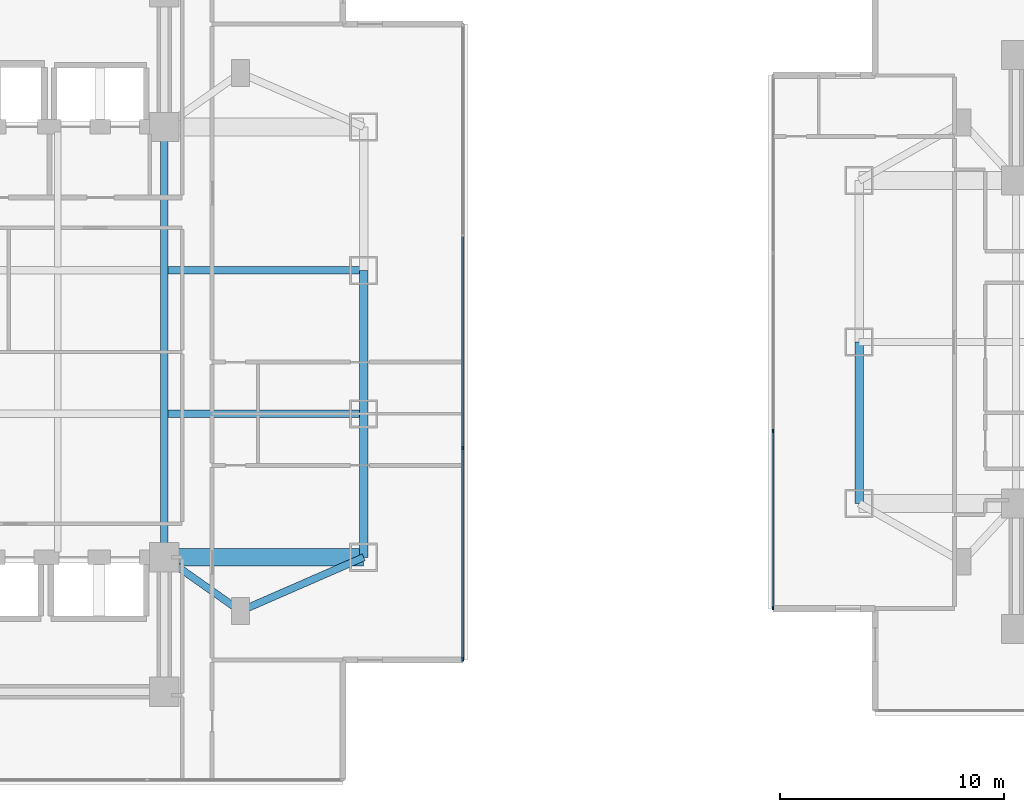
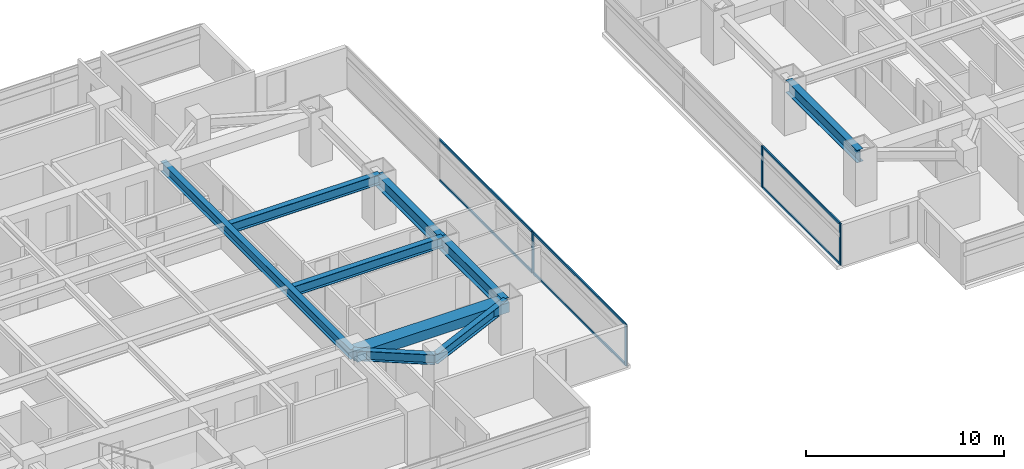
# One storey, part 5 of 26: 10 members, 9 beams, 2 elements without a shape of their own.
"""IFC4 building model written with IfcOpenShell, lengths in metres."""

from ifc_helpers import new_model, si_unit, direction, frame, origin, origin_2d, place, context, subcontext, project, spatial, rectangle, i_section, extrude, material, material_profile, profile_set, type_object, element, aggregate, save


model = new_model("IFC4")

# Units and contexts
model_context = context("Model", 3, precision=1e-05, world=origin(), true_north=direction((0.0, 1.0)))
body_context = subcontext(model_context, "Body", "Model", "MODEL_VIEW")
ifc_project = project(units=[si_unit("LENGTHUNIT", "METRE"), si_unit("AREAUNIT", "SQUARE_METRE"), si_unit("VOLUMEUNIT", "CUBIC_METRE"), si_unit("PLANEANGLEUNIT", "RADIAN"), si_unit("MASSUNIT", "GRAM", prefix="KILO")], contexts=[model_context])

# Site, building, storey
site_placement = place(None, origin())
site = spatial("IfcSite", under=ifc_project, at=site_placement, CompositionType="ELEMENT")
building_placement = place(site_placement, origin())
building = spatial("IfcBuilding", under=site, at=building_placement, Name="Mirazonda Arch Towers", CompositionType="ELEMENT")
storey_placement = place(building_placement, frame((0.0, 0.0, 78.5)))
storey = spatial("IfcBuildingStorey", under=building, at=storey_placement, Name="L22", CompositionType="ELEMENT", Elevation=78.5)

# Beams
ifc_material_1 = material(Name="Steel ASTM A992 Grade 50", Category="steel")
ifc_material_profile_1 = material_profile(ifc_material_1, i_section(OverallWidth=0.381103515625, OverallDepth=0.77294921875, WebThickness=0.0166015625, FlangeThickness=0.027099609375, at=origin_2d()), Name="W30X173")
ifc_profile_set_1 = profile_set([ifc_material_profile_1], Name="Steel ASTM A992 Grade 50")
beam_type_1 = type_object("IfcBeamType", Name="BM-EXT-W30X173", PredefinedType="USERDEFINED", material=ifc_profile_set_1)
beam_1_placement = place(storey_placement, frame((38.89990234375, 18.39990234375, 2.553466796875), z_axis=(0.0, 1.0, 0.0), x_axis=(-1.0, 0.0, 0.0)))
element("IfcBeam", 1, at=beam_1_placement, inside=storey, type_object=beam_type_1, Name="L22 Floor Beam BMT-T1-L22-NS-E-18", ObjectType="GIRDER", PredefinedType="USERDEFINED", context=body_context, shape_type="SweptSolid", body=[
    extrude(i_section(OverallWidth=0.381103515625, OverallDepth=0.77294921875, WebThickness=0.0166015625, FlangeThickness=0.027099609375, at=origin_2d()), origin(), (0.0, 0.0, 1.0), 6.400146484375),
])
beam_2_placement = place(storey_placement, frame((38.89990234375, 24.800048828125, 2.553466796875), z_axis=(0.0, 1.0, 0.0), x_axis=(-1.0, 0.0, 0.0)))
element("IfcBeam", 2, at=beam_2_placement, inside=storey, type_object=beam_type_1, Name="L22 Floor Beam BMT-T1-L22-NS-E-24", ObjectType="GIRDER", PredefinedType="USERDEFINED", context=body_context, shape_type="SweptSolid", body=[
    extrude(i_section(OverallWidth=0.381103515625, OverallDepth=0.77294921875, WebThickness=0.0166015625, FlangeThickness=0.027099609375, at=origin_2d()), origin(), (0.0, 0.0, 1.0), 6.39990234375),
])
beam_3_placement = place(storey_placement, frame((61.0, 20.800048828125, 2.553466796875), z_axis=(0.0, 1.0, 0.0), x_axis=(-1.0, 0.0, 0.0)))
element("IfcBeam", 3, at=beam_3_placement, inside=storey, type_object=beam_type_1, Name="L22 Floor Beam BMT-T2-L22-NS-W-20", ObjectType="GIRDER", PredefinedType="USERDEFINED", context=body_context, shape_type="SweptSolid", body=[
    extrude(i_section(OverallWidth=0.381103515625, OverallDepth=0.77294921875, WebThickness=0.0166015625, FlangeThickness=0.027099609375, at=origin_2d()), origin(), (0.0, 0.0, 1.0), 7.199951171875),
])
ifc_material_profile_2 = material_profile(ifc_material_1, i_section(OverallWidth=0.324951171875, OverallDepth=0.615966796875, WebThickness=0.013916015625, FlangeThickness=0.021484375, at=origin_2d()), Name="W24X117")
ifc_profile_set_2 = profile_set([ifc_material_profile_2], Name="Steel ASTM A992 Grade 50")
beam_type_2 = type_object("IfcBeamType", Name="BM-INT-W24X117", PredefinedType="BEAM", material=ifc_profile_set_2)
for number, where, z_axis, x_axis, name in (
    (4, (30.16259765625, 24.800048828125, 2.632080078125), (1.0, 0.0, 0.0), (0.0, 1.0, 0.0), "L22 Floor Beam BMT-T1-L22-GE2"),
    (5, (30.16259765625, 31.199951171875, 2.632080078125), (1.0, 0.0, 0.0), (0.0, 1.0, 0.0), "L22 Floor Beam BMT-T1-L22-GE3"),
):
    element("IfcBeam", number, at=place(storey_placement, frame(where, z_axis=z_axis, x_axis=x_axis)), inside=storey, type_object=beam_type_2, Name=name, PredefinedType="BEAM", context=body_context, shape_type="SweptSolid", body=[
        extrude(i_section(OverallWidth=0.324951171875, OverallDepth=0.615966796875, WebThickness=0.013916015625, FlangeThickness=0.021484375, at=origin_2d()), origin(), (0.0, 0.0, 1.0), 8.7373046875),
    ])
beam_4_placement = place(storey_placement, frame((30.0, 18.39990234375, 2.632080078125), z_axis=(0.0, 1.0, 0.0), x_axis=(-1.0, 0.0, 0.0)))
element("IfcBeam", 6, at=beam_4_placement, inside=storey, type_object=beam_type_2, Name="L22 Floor Beam BMT-T1-L22-NS-CE-FULL", PredefinedType="BEAM", context=body_context, shape_type="SweptSolid", body=[
    extrude(i_section(OverallWidth=0.324951171875, OverallDepth=0.615966796875, WebThickness=0.013916015625, FlangeThickness=0.021484375, at=origin_2d()), origin(), (0.0, 0.0, 1.0), 19.2001953125),
])
beam_5_placement = place(storey_placement, frame((33.39990234375, 16.0, 2.632080078125), z_axis=(-0.816971114901, 0.576678591087, 0.0), x_axis=(-0.576678591087, -0.816971114901, 0.0)))
element("IfcBeam", 7, at=beam_5_placement, inside=storey, type_object=beam_type_2, Name="L22 Floor Beam BMT-T1-L22-PL-SE1", PredefinedType="BEAM", context=body_context, shape_type="SweptSolid", body=[
    extrude(i_section(OverallWidth=0.324951171875, OverallDepth=0.615966796875, WebThickness=0.013916015625, FlangeThickness=0.021484375, at=origin_2d()), origin(), (0.0, 0.0, 1.0), 4.16162109375),
])
beam_6_placement = place(storey_placement, frame((33.39990234375, 16.0, 2.632080078125), z_axis=(0.916545343703, 0.399930785183, 0.0), x_axis=(-0.399930785183, 0.916545343703, 0.0)))
element("IfcBeam", 8, at=beam_6_placement, inside=storey, type_object=beam_type_2, Name="L22 Floor Beam BMT-T1-L22-PL-SE2", PredefinedType="BEAM", context=body_context, shape_type="SweptSolid", body=[
    extrude(i_section(OverallWidth=0.324951171875, OverallDepth=0.615966796875, WebThickness=0.013916015625, FlangeThickness=0.021484375, at=origin_2d()), origin(), (0.0, 0.0, 1.0), 6.000732421875),
])
ifc_material_2 = material(Name="Concrete C60/75", Category="concrete")
ifc_material_profile_3 = material_profile(ifc_material_2, rectangle(XDim=0.800048828125, YDim=0.60009765625, at=origin_2d()), Name="RCCB800x600")
ifc_profile_set_3 = profile_set([ifc_material_profile_3], Name="Concrete C60/75")
beam_type_3 = type_object("IfcBeamType", Name="CB-INT-RCCB800x600", PredefinedType="SPANDREL", material=ifc_profile_set_3)
beam_7_placement = place(storey_placement, frame((30.0, 18.39990234375, 2.639892578125), z_axis=(1.0, 0.0, 0.0), x_axis=(0.0, 1.0, 0.0)))
element("IfcBeam", 9, at=beam_7_placement, inside=storey, type_object=beam_type_3, Name="L22 Floor Beam CBC-T1-L22-SE", PredefinedType="SPANDREL", context=body_context, shape_type="SweptSolid", body=[
    extrude(rectangle(XDim=0.800048828125, YDim=0.60009765625, at=origin_2d()), origin(), (0.0, 0.0, 1.0), 8.89990234375),
])

# Curtain wall, members
ifc_material_3 = material(Name="Anodised Aluminium and Low-E Glass", Category="aluminium")
curtain_wall_type = type_object("IfcCurtainWallType", Name="CW-HTL-UNIT", PredefinedType="NOTDEFINED", material=ifc_material_3)
curtain_wall_1_placement = place(storey_placement, origin())
curtain_wall_1 = element("IfcCurtainWall", 10, at=curtain_wall_1_placement, inside=storey, type_object=curtain_wall_type, Name="L22 T1 E Facade CW-L22-T1-E", PredefinedType="NOTDEFINED")
ifc_material_4 = material(Name="Anodised Aluminium Alloy", Category="aluminium")
ifc_material_profile_4 = material_profile(ifc_material_4, rectangle(XDim=0.074951171875, YDim=0.1650390625, at=origin_2d()), Name="ALU-MULL-75x165")
ifc_profile_set_4 = profile_set([ifc_material_profile_4], Name="Anodised Aluminium Alloy")
member_type_1 = type_object("IfcMemberType", Name="MULL-CW-HTL-UNIT", PredefinedType="MULLION", material=ifc_profile_set_4)
member_1_placement = place(storey_placement, frame((43.320068359375, 13.853515625, 0.0), z_axis=(0.0, 0.0, 1.0), x_axis=(-1.0, 0.0, 0.0)))
member_1 = element("IfcMember", 11, at=member_1_placement, type_object=member_type_1, Name="CW-112 mullion 1", PredefinedType="MULLION", context=body_context, shape_type="SweptSolid", body=[
    extrude(rectangle(XDim=0.074951171875, YDim=0.1650390625, at=origin_2d()), origin(), (0.0, 0.0, 1.0), 2.56005859375),
])
member_2_placement = place(storey_placement, frame((43.320068359375, 23.27197265625, 0.0), z_axis=(0.0, 0.0, 1.0), x_axis=(-1.0, 0.0, 0.0)))
member_2 = element("IfcMember", 12, at=member_2_placement, type_object=member_type_1, Name="CW-112 mullion 2", PredefinedType="MULLION", context=body_context, shape_type="SweptSolid", body=[
    extrude(rectangle(XDim=0.074951171875, YDim=0.1650390625, at=origin_2d()), origin(), (0.0, 0.0, 1.0), 2.56005859375),
])

curtain_wall_2_placement = place(storey_placement, origin())
curtain_wall_2 = element("IfcCurtainWall", 13, at=curtain_wall_2_placement, inside=storey, type_object=curtain_wall_type, Name="L22 T2 W Facade CW-L22-T2-W", PredefinedType="NOTDEFINED")
member_3_placement = place(storey_placement, frame((57.156005859375, 24.034423828125, 0.0), z_axis=(0.0, 0.0, 1.0), x_axis=(1.0, 0.0, 0.0)))
member_3 = element("IfcMember", 14, at=member_3_placement, type_object=member_type_1, Name="CW-112 mullion 3", PredefinedType="MULLION", context=body_context, shape_type="SweptSolid", body=[
    extrude(rectangle(XDim=0.074951171875, YDim=0.1650390625, at=origin_2d()), origin(), (0.0, 0.0, 1.0), 2.56005859375),
])
member_4_placement = place(storey_placement, frame((57.156005859375, 16.14111328125, 0.0), z_axis=(0.0, 0.0, 1.0), x_axis=(1.0, 0.0, 0.0)))
member_4 = element("IfcMember", 15, at=member_4_placement, type_object=member_type_1, Name="CW-112 mullion 4", PredefinedType="MULLION", context=body_context, shape_type="SweptSolid", body=[
    extrude(rectangle(XDim=0.074951171875, YDim=0.1650390625, at=origin_2d()), origin(), (0.0, 0.0, 1.0), 2.56005859375),
])

# Member
ifc_material_profile_5 = material_profile(ifc_material_4, rectangle(XDim=0.074951171875, YDim=0.14501953125, at=origin_2d()), Name="ALU-TRAN-75x145")
ifc_profile_set_5 = profile_set([ifc_material_profile_5], Name="Anodised Aluminium Alloy")
member_type_2 = type_object("IfcMemberType", Name="TRAN-CW-HTL-UNIT", PredefinedType="USERDEFINED", material=ifc_profile_set_5)
member_5_placement = place(storey_placement, frame((43.320068359375, 13.89111328125, 0.03759765625), z_axis=(0.0, 1.0, 0.0), x_axis=(-1.0, 0.0, 0.0)))
member_5 = element("IfcMember", 16, at=member_5_placement, type_object=member_type_2, Name="CW-112 transom 1.1", ObjectType="TRANSOM", PredefinedType="USERDEFINED", context=body_context, shape_type="SweptSolid", body=[
    extrude(rectangle(XDim=0.074951171875, YDim=0.14501953125, at=origin_2d()), origin(), (0.0, 0.0, 1.0), 9.343505859375),
])

member_6_placement = place(storey_placement, frame((43.320068359375, 13.89111328125, 2.5224609375), z_axis=(0.0, 1.0, 0.0), x_axis=(-1.0, 0.0, 0.0)))
member_6 = element("IfcMember", 17, at=member_6_placement, type_object=member_type_2, Name="CW-112 transom 1.2", ObjectType="TRANSOM", PredefinedType="USERDEFINED", context=body_context, shape_type="SweptSolid", body=[
    extrude(rectangle(XDim=0.074951171875, YDim=0.14501953125, at=origin_2d()), origin(), (0.0, 0.0, 1.0), 9.343505859375),
])

member_7_placement = place(storey_placement, frame((43.320068359375, 23.3095703125, 0.03759765625), z_axis=(0.0, 1.0, 0.0), x_axis=(-1.0, 0.0, 0.0)))
member_7 = element("IfcMember", 18, at=member_7_placement, type_object=member_type_2, Name="CW-112 transom 2.1", ObjectType="TRANSOM", PredefinedType="USERDEFINED", context=body_context, shape_type="SweptSolid", body=[
    extrude(rectangle(XDim=0.074951171875, YDim=0.14501953125, at=origin_2d()), origin(), (0.0, 0.0, 1.0), 9.380859375),
])

member_8_placement = place(storey_placement, frame((43.320068359375, 23.3095703125, 2.5224609375), z_axis=(0.0, 1.0, 0.0), x_axis=(-1.0, 0.0, 0.0)))
member_8 = element("IfcMember", 19, at=member_8_placement, type_object=member_type_2, Name="CW-112 transom 2.2", ObjectType="TRANSOM", PredefinedType="USERDEFINED", context=body_context, shape_type="SweptSolid", body=[
    extrude(rectangle(XDim=0.074951171875, YDim=0.14501953125, at=origin_2d()), origin(), (0.0, 0.0, 1.0), 9.380859375),
])

aggregate(curtain_wall_1, [member_1, member_2, member_5, member_6, member_7, member_8])

member_9_placement = place(storey_placement, frame((57.156005859375, 23.9970703125, 0.03759765625), z_axis=(0.0, -1.0, 0.0), x_axis=(1.0, 0.0, 0.0)))
member_9 = element("IfcMember", 20, at=member_9_placement, type_object=member_type_2, Name="CW-112 transom 3.1", ObjectType="TRANSOM", PredefinedType="USERDEFINED", context=body_context, shape_type="SweptSolid", body=[
    extrude(rectangle(XDim=0.074951171875, YDim=0.14501953125, at=origin_2d()), origin(), (0.0, 0.0, 1.0), 7.818359375),
])

member_10_placement = place(storey_placement, frame((57.156005859375, 23.9970703125, 2.5224609375), z_axis=(0.0, -1.0, 0.0), x_axis=(1.0, 0.0, 0.0)))
member_10 = element("IfcMember", 21, at=member_10_placement, type_object=member_type_2, Name="CW-112 transom 3.2", ObjectType="TRANSOM", PredefinedType="USERDEFINED", context=body_context, shape_type="SweptSolid", body=[
    extrude(rectangle(XDim=0.074951171875, YDim=0.14501953125, at=origin_2d()), origin(), (0.0, 0.0, 1.0), 7.818359375),
])

aggregate(curtain_wall_2, [member_3, member_4, member_9, member_10])

save(model, "model.ifc")
